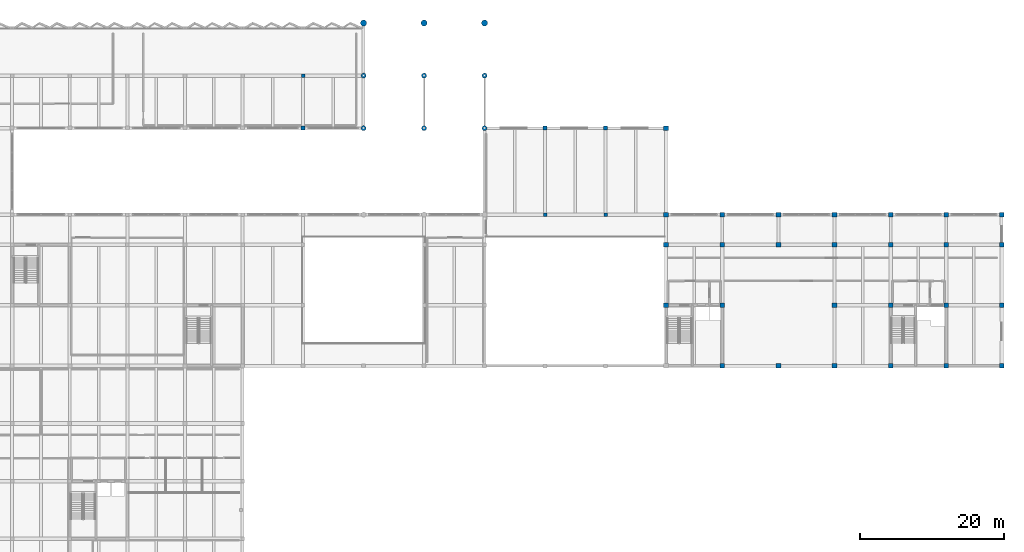
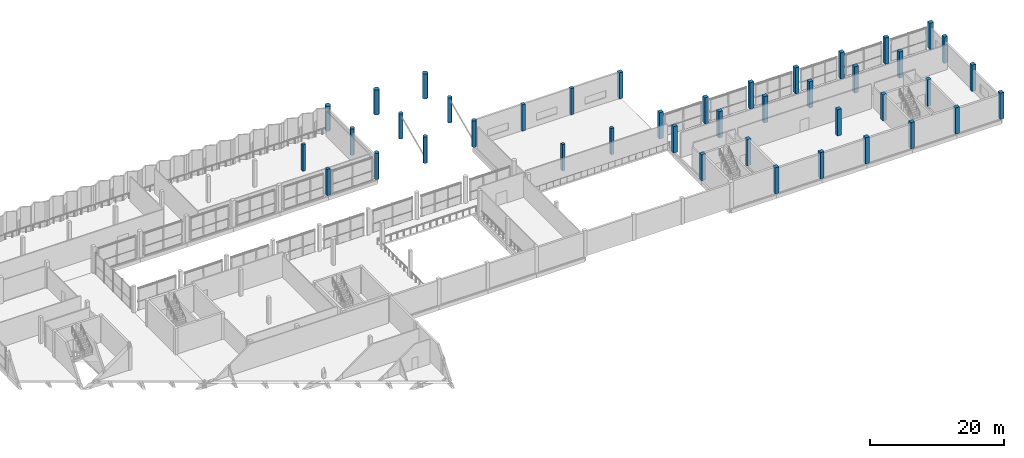
# One storey, part 2 of 47: 42 columns.
"""IFC4 building model written with IfcOpenShell, lengths in metres."""

from ifc_helpers import new_model, si_unit, direction, frame, origin, origin_2d, place, context, subcontext, project, spatial, rectangle, circle, extrude, material, material_profile, profile_set, type_object, element, save


model = new_model("IFC4")

# Units and contexts
model_context = context("Model", 3, precision=1e-05, world=origin(), true_north=direction((0.0, 1.0)))
body_context = subcontext(model_context, "Body", "Model", "MODEL_VIEW")
ifc_project = project(units=[si_unit("LENGTHUNIT", "METRE"), si_unit("AREAUNIT", "SQUARE_METRE"), si_unit("VOLUMEUNIT", "CUBIC_METRE"), si_unit("PLANEANGLEUNIT", "RADIAN"), si_unit("MASSUNIT", "GRAM", prefix="KILO")], contexts=[model_context])

# Site, building, storey
site_placement = place(None, origin())
site = spatial("IfcSite", under=ifc_project, at=site_placement, CompositionType="ELEMENT")
building_placement = place(site_placement, origin())
building = spatial("IfcBuilding", under=site, at=building_placement, Name="Vharandega Faculty of Natural Sciences", CompositionType="ELEMENT")
storey_placement = place(building_placement, frame((0.0, 0.0, 5.39990234375)))
storey = spatial("IfcBuildingStorey", under=building, at=storey_placement, Name="L01", CompositionType="ELEMENT", Elevation=5.39990234375)

# Columns
ifc_material_1 = material(Name="Concrete C40/50", Category="concrete")
ifc_material_profile_1 = material_profile(ifc_material_1, circle(Radius=0.35009765625, at=origin_2d()), Name="RC-CIRC 700")
ifc_profile_set_1 = profile_set([ifc_material_profile_1], Name="Concrete C40/50")
column_type_1 = type_object("IfcColumnType", Name="RC Circular Column 700", PredefinedType="COLUMN", material=ifc_profile_set_1)
for number, where, z_axis, x_axis, name in (
    (1, (72.800048828125, 97.0, 0.0), (0.0, 0.0, 1.0), (1.0, 0.0, 0.0), "Column 10/N L01"),
    (2, (72.800048828125, 104.300048828125, 0.0), (0.0, 0.0, 1.0), (1.0, 0.0, 0.0), "Column 10/P L01"),
    (3, (81.199951171875, 97.0, 0.0), (0.0, 0.0, 1.0), (1.0, 0.0, 0.0), "Column 11/N L01"),
):
    element("IfcColumn", number, at=place(storey_placement, frame(where, z_axis=z_axis, x_axis=x_axis)), inside=storey, type_object=column_type_1, Name=name, PredefinedType="COLUMN", context=body_context, shape_type="SweptSolid", body=[
        extrude(circle(Radius=0.35009765625, at=origin_2d()), origin(), (0.0, 0.0, 1.0), 4.800048828125),
    ])
column_1_placement = place(storey_placement, frame((81.199951171875, 104.300048828125, 0.0), z_axis=(0.0, 0.0, 1.0), x_axis=(1.0, 0.0, 0.0)))
element("IfcColumn", 4, at=column_1_placement, inside=storey, type_object=column_type_1, Name="Column 11/P L01", PredefinedType="COLUMN", context=body_context, shape_type="SweptSolid", body=[
    extrude(circle(Radius=0.35009765625, at=origin_2d()), origin(), (0.0, 0.0, 1.0), 4.56005859375),
])
column_2_placement = place(storey_placement, frame((89.60009765625, 97.0, 0.0), z_axis=(0.0, 0.0, 1.0), x_axis=(1.0, 0.0, 0.0)))
element("IfcColumn", 5, at=column_2_placement, inside=storey, type_object=column_type_1, Name="Column 12/N L01", PredefinedType="COLUMN", context=body_context, shape_type="SweptSolid", body=[
    extrude(circle(Radius=0.35009765625, at=origin_2d()), origin(), (0.0, 0.0, 1.0), 4.800048828125),
])
column_3_placement = place(storey_placement, frame((89.60009765625, 104.300048828125, 0.0), z_axis=(0.0, 0.0, 1.0), x_axis=(1.0, 0.0, 0.0)))
element("IfcColumn", 6, at=column_3_placement, inside=storey, type_object=column_type_1, Name="Column 12/P L01", PredefinedType="COLUMN", context=body_context, shape_type="SweptSolid", body=[
    extrude(circle(Radius=0.35009765625, at=origin_2d()), origin(), (0.0, 0.0, 1.0), 4.56005859375),
])
ifc_material_2 = material(Name="Concrete C40/50", Category="concrete")
ifc_material_profile_2 = material_profile(ifc_material_2, circle(Radius=0.425048828125, at=origin_2d()), Name="RC-CIRC 850")
ifc_profile_set_2 = profile_set([ifc_material_profile_2], Name="Concrete C40/50")
column_type_2 = type_object("IfcColumnType", Name="RC Circular Column 850", PredefinedType="COLUMN", material=ifc_profile_set_2)
for number, where, z_axis, x_axis, name in (
    (7, (72.800048828125, 111.60009765625, 0.0), (0.0, 0.0, 1.0), (1.0, 0.0, 0.0), "Column 10/Q L01"),
    (8, (81.199951171875, 111.60009765625, 0.0), (0.0, 0.0, 1.0), (1.0, 0.0, 0.0), "Column 11/Q L01"),
    (9, (89.60009765625, 111.60009765625, 0.0), (0.0, 0.0, 1.0), (1.0, 0.0, 0.0), "Column 12/Q L01"),
):
    element("IfcColumn", number, at=place(storey_placement, frame(where, z_axis=z_axis, x_axis=x_axis)), inside=storey, type_object=column_type_2, Name=name, PredefinedType="COLUMN", context=body_context, shape_type="SweptSolid", body=[
        extrude(circle(Radius=0.425048828125, at=origin_2d()), origin(), (0.0, 0.0, 1.0), 4.56005859375),
    ])
ifc_material_3 = material(Name="Concrete C40/50", Category="concrete")
ifc_material_profile_3 = material_profile(ifc_material_3, rectangle(XDim=0.5, YDim=0.5, at=origin_2d()), Name="RC 500x500")
ifc_profile_set_3 = profile_set([ifc_material_profile_3], Name="Concrete C40/50")
column_type_3 = type_object("IfcColumnType", Name="RC Column 500x500", PredefinedType="COLUMN", material=ifc_profile_set_3)
for number, where, z_axis, x_axis, name in (
    (10, (98.0, 85.0, 0.0), (0.0, 0.0, 1.0), (1.0, 0.0, 0.0), "Column 13/M L01"),
    (11, (106.39990234375, 85.0, 0.0), (0.0, 0.0, 1.0), (1.0, 0.0, 0.0), "Column 14/M L01"),
    (12, (64.39990234375, 104.300048828125, 0.0), (0.0, 0.0, 1.0), (1.0, 0.0, 0.0), "Column 9/P L01"),
):
    element("IfcColumn", number, at=place(storey_placement, frame(where, z_axis=z_axis, x_axis=x_axis)), inside=storey, type_object=column_type_3, Name=name, PredefinedType="COLUMN", context=body_context, shape_type="SweptSolid", body=[
        extrude(rectangle(XDim=0.5, YDim=0.5, at=origin_2d()), origin(), (0.0, 0.0, 1.0), 4.800048828125),
    ])
ifc_material_4 = material(Name="Concrete C40/50", Category="concrete")
ifc_material_profile_4 = material_profile(ifc_material_4, rectangle(XDim=0.550048828125, YDim=0.550048828125, at=origin_2d()), Name="RC 550x550")
ifc_profile_set_4 = profile_set([ifc_material_profile_4], Name="Concrete C40/50")
column_type_4 = type_object("IfcColumnType", Name="RC Column 550x550", PredefinedType="COLUMN", material=ifc_profile_set_4)
for number, where, z_axis, x_axis, name in (
    (13, (98.0, 97.0, 0.0), (0.0, 0.0, 1.0), (1.0, 0.0, 0.0), "Column 13/N L01"),
    (14, (106.39990234375, 97.0, 0.0), (0.0, 0.0, 1.0), (1.0, 0.0, 0.0), "Column 14/N L01"),
    (15, (64.39990234375, 97.0, 0.0), (0.0, 0.0, 1.0), (1.0, 0.0, 0.0), "Column 9/N L01"),
):
    element("IfcColumn", number, at=place(storey_placement, frame(where, z_axis=z_axis, x_axis=x_axis)), inside=storey, type_object=column_type_4, Name=name, PredefinedType="COLUMN", context=body_context, shape_type="SweptSolid", body=[
        extrude(rectangle(XDim=0.550048828125, YDim=0.550048828125, at=origin_2d()), origin(), (0.0, 0.0, 1.0), 4.800048828125),
    ])
ifc_material_5 = material(Name="Concrete C40/50", Category="concrete")
ifc_material_profile_5 = material_profile(ifc_material_5, rectangle(XDim=0.64990234375, YDim=0.64990234375, at=origin_2d()), Name="RC 650x650")
ifc_profile_set_5 = profile_set([ifc_material_profile_5], Name="Concrete C40/50")
column_type_5 = type_object("IfcColumnType", Name="RC Column 650x650", PredefinedType="COLUMN", material=ifc_profile_set_5)
for number, where, z_axis, x_axis, name in (
    (16, (114.800048828125, 72.39990234375, 0.0), (0.0, 0.0, 1.0), (1.0, 0.0, 0.0), "Column 15/K L01"),
    (17, (114.800048828125, 80.800048828125, 0.0), (0.0, 0.0, 1.0), (1.0, 0.0, 0.0), "Column 15/L L01"),
    (18, (114.800048828125, 85.0, 0.0), (0.0, 0.0, 1.0), (1.0, 0.0, 0.0), "Column 15/M L01"),
    (19, (114.800048828125, 97.0, 0.0), (0.0, 0.0, 1.0), (1.0, 0.0, 0.0), "Column 15/N L01"),
    (20, (122.60009765625, 64.0, 0.0), (0.0, 0.0, 1.0), (1.0, 0.0, 0.0), "Column 16/J L01"),
    (21, (122.60009765625, 72.39990234375, 0.0), (0.0, 0.0, 1.0), (1.0, 0.0, 0.0), "Column 16/K L01"),
    (22, (122.60009765625, 80.800048828125, 0.0), (0.0, 0.0, 1.0), (1.0, 0.0, 0.0), "Column 16/L L01"),
    (23, (122.60009765625, 85.0, 0.0), (0.0, 0.0, 1.0), (1.0, 0.0, 0.0), "Column 16/M L01"),
    (24, (130.39990234375, 64.0, 0.0), (0.0, 0.0, 1.0), (1.0, 0.0, 0.0), "Column 17/J L01"),
    (25, (130.39990234375, 80.800048828125, 0.0), (0.0, 0.0, 1.0), (1.0, 0.0, 0.0), "Column 17/L L01"),
    (26, (130.39990234375, 85.0, 0.0), (0.0, 0.0, 1.0), (1.0, 0.0, 0.0), "Column 17/M L01"),
    (27, (138.199951171875, 64.0, 0.0), (0.0, 0.0, 1.0), (1.0, 0.0, 0.0), "Column 18/J L01"),
    (28, (138.199951171875, 72.39990234375, 0.0), (0.0, 0.0, 1.0), (1.0, 0.0, 0.0), "Column 18/K L01"),
    (29, (138.199951171875, 80.800048828125, 0.0), (0.0, 0.0, 1.0), (1.0, 0.0, 0.0), "Column 18/L L01"),
    (30, (138.199951171875, 85.0, 0.0), (0.0, 0.0, 1.0), (1.0, 0.0, 0.0), "Column 18/M L01"),
    (31, (146.0, 64.0, 0.0), (0.0, 0.0, 1.0), (1.0, 0.0, 0.0), "Column 19/J L01"),
    (32, (146.0, 72.39990234375, 0.0), (0.0, 0.0, 1.0), (1.0, 0.0, 0.0), "Column 19/K L01"),
    (33, (146.0, 80.800048828125, 0.0), (0.0, 0.0, 1.0), (1.0, 0.0, 0.0), "Column 19/L L01"),
    (34, (146.0, 85.0, 0.0), (0.0, 0.0, 1.0), (1.0, 0.0, 0.0), "Column 19/M L01"),
    (35, (153.699951171875, 64.0, 0.0), (0.0, 0.0, 1.0), (1.0, 0.0, 0.0), "Column 20/J L01"),
    (36, (153.699951171875, 72.39990234375, 0.0), (0.0, 0.0, 1.0), (1.0, 0.0, 0.0), "Column 20/K L01"),
    (37, (153.699951171875, 80.800048828125, 0.0), (0.0, 0.0, 1.0), (1.0, 0.0, 0.0), "Column 20/L L01"),
    (38, (153.699951171875, 85.0, 0.0), (0.0, 0.0, 1.0), (1.0, 0.0, 0.0), "Column 20/M L01"),
    (39, (161.39990234375, 64.0, 0.0), (0.0, 0.0, 1.0), (1.0, 0.0, 0.0), "Column 21/J L01"),
    (40, (161.39990234375, 72.39990234375, 0.0), (0.0, 0.0, 1.0), (1.0, 0.0, 0.0), "Column 21/K L01"),
    (41, (161.39990234375, 80.800048828125, 0.0), (0.0, 0.0, 1.0), (1.0, 0.0, 0.0), "Column 21/L L01"),
    (42, (161.39990234375, 85.0, 0.0), (0.0, 0.0, 1.0), (1.0, 0.0, 0.0), "Column 21/M L01"),
):
    element("IfcColumn", number, at=place(storey_placement, frame(where, z_axis=z_axis, x_axis=x_axis)), inside=storey, type_object=column_type_5, Name=name, PredefinedType="COLUMN", context=body_context, shape_type="SweptSolid", body=[
        extrude(rectangle(XDim=0.64990234375, YDim=0.64990234375, at=origin_2d()), origin(), (0.0, 0.0, 1.0), 4.800048828125),
    ])

save(model, "model.ifc")
